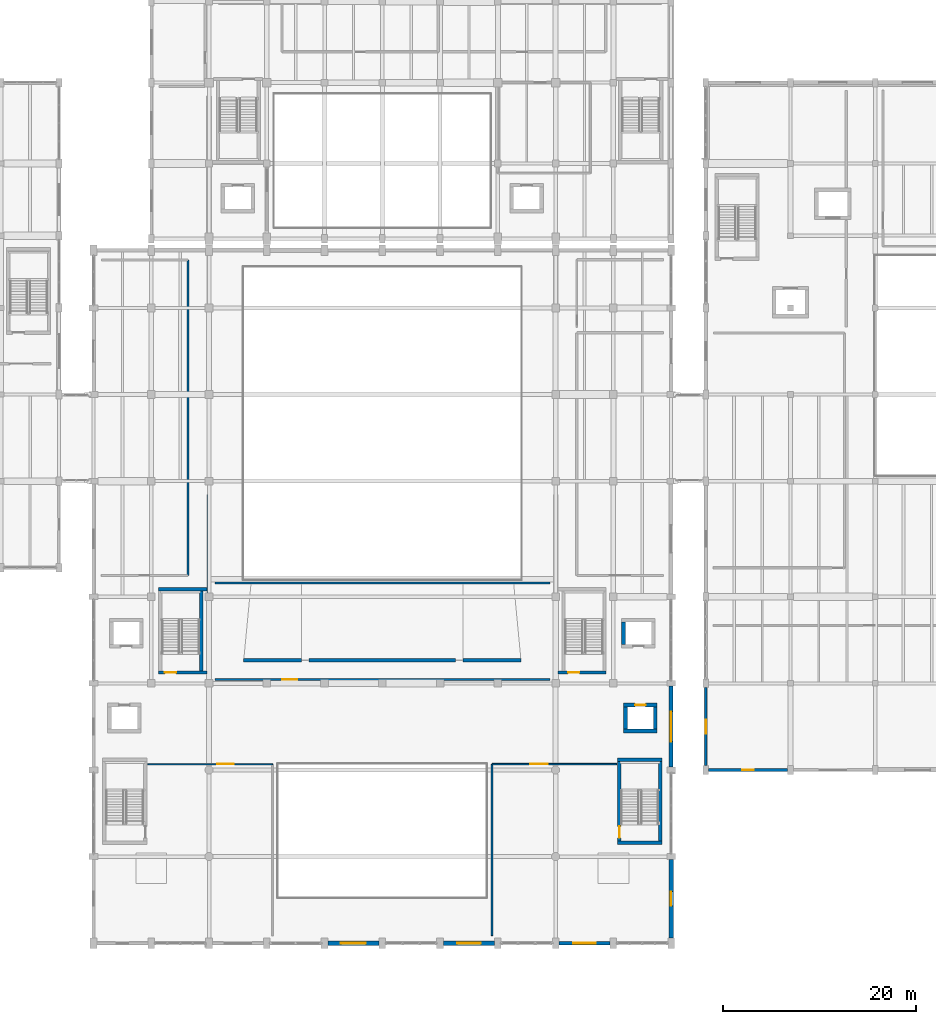
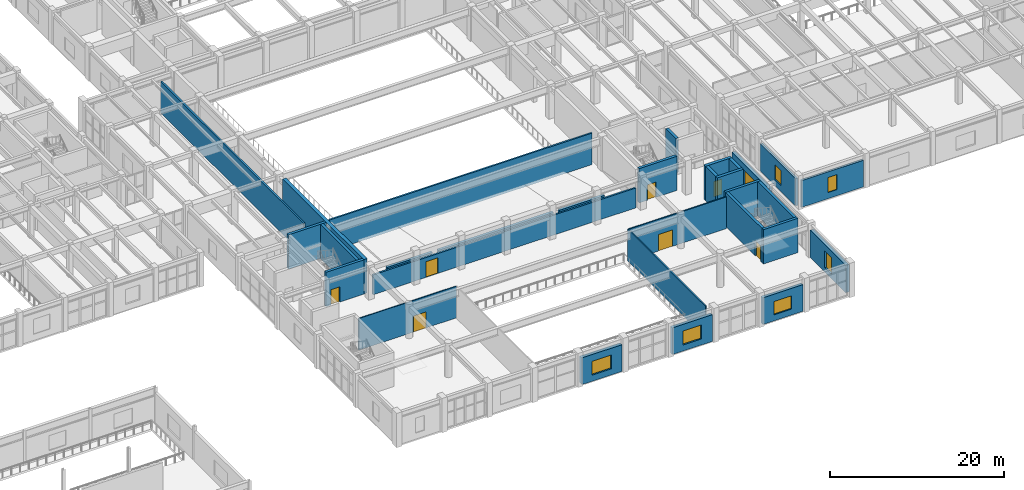
# One storey, part 69 of 96: 30 walls, 7 doors, 7 windows, 14 openings.
"""IFC4 building model written with IfcOpenShell, lengths in metres."""

from ifc_helpers import new_model, si_unit, direction, frame, frame_2d, origin, place, context, subcontext, project, spatial, rectangle, extrude, material, layer, layer_set, type_object, element, fill, save


model = new_model("IFC4")

# Units and contexts
model_context = context("Model", 3, precision=1e-05, world=origin(), true_north=direction((0.0, 1.0)))
body_context = subcontext(model_context, "Body", "Model", "MODEL_VIEW")
ifc_project = project(units=[si_unit("LENGTHUNIT", "METRE"), si_unit("AREAUNIT", "SQUARE_METRE"), si_unit("VOLUMEUNIT", "CUBIC_METRE"), si_unit("PLANEANGLEUNIT", "RADIAN"), si_unit("MASSUNIT", "GRAM", prefix="KILO")], contexts=[model_context])

# Site, building, storey
site_placement = place(None, origin())
site = spatial("IfcSite", under=ifc_project, at=site_placement, CompositionType="ELEMENT")
building_placement = place(site_placement, origin())
building = spatial("IfcBuilding", under=site, at=building_placement, Name="Vaelkrest Opera House", CompositionType="ELEMENT")
storey_placement = place(building_placement, frame((0.0, 0.0, 5.39990234375)))
storey = spatial("IfcBuildingStorey", under=building, at=storey_placement, Name="L01", CompositionType="ELEMENT", Elevation=5.39990234375)

# Wall, opening, window
ifc_material_1 = material(Name="Douglas fir glulam GL28h", Category="wood")
ifc_layer_1 = layer(ifc_material_1, 0.27490234375)
ifc_layer_set_1 = layer_set([ifc_layer_1], Name="Douglas fir glulam GL28h")
wall_type_1 = type_object("IfcWallType", Name="EW02", PredefinedType="STANDARD", material=ifc_layer_set_1)
wall_1_placement = place(storey_placement, frame((42.10205078125, -37.800048828125, 0.0), z_axis=(0.0, 0.0, 1.0), x_axis=(-1.0, 0.0, 0.0)))
wall_1 = element("IfcWall", 1, at=wall_1_placement, inside=storey, type_object=wall_type_1, Name="Exterior facade wall EW-V4-L01-0232", PredefinedType="STANDARD", context=body_context, shape_type="SweptSolid", body=[
    extrude(rectangle(XDim=8.2041015625, YDim=0.27490234375, at=frame_2d((4.10205078125, 0.0))), origin(), (0.0, 0.0, 1.0), 3.7451171875),
])
opening_1_placement = place(wall_1_placement, frame((3.501953125, 0.0, 0.85009765625)))
opening_1 = element("IfcOpeningElement", 2, at=opening_1_placement, cuts=wall_1, Name="Opening WN117", PredefinedType="OPENING", context=body_context, shape_type="SweptSolid", body=[
    extrude(rectangle(XDim=1.199951171875, YDim=2.10009765625, at=frame_2d((0.60009765625, 1.050048828125))), frame((0.0, 0.1474609375, 0.0), z_axis=(0.0, -1.0, 0.0), x_axis=(1.0, 0.0, 0.0)), (0.0, 0.0, 1.0), 0.294921875),
])
ifc_material_2 = material(Name="Double low-E insulated glazing", Category="glass")
window_type_1 = type_object("IfcWindowType", Name="WT13", PartitioningType="SINGLE_PANEL", PredefinedType="WINDOW", material=ifc_material_2)
window_1_placement = place(opening_1_placement, origin())
window_1 = element("IfcWindow", 3, at=window_1_placement, inside=storey, type_object=window_type_1, Name="Facade window WN117", OverallHeight=2.10009765625, OverallWidth=1.199951171875, PartitioningType="SINGLE_PANEL", PredefinedType="WINDOW", context=body_context, shape_type="SweptSolid", body=[
    extrude(rectangle(XDim=1.199951171875, YDim=2.10009765625, at=frame_2d((0.60009765625, 1.050048828125))), frame((0.0, 0.030029296875, 0.0), z_axis=(0.0, -1.0, 0.0), x_axis=(1.0, 0.0, 0.0)), (0.0, 0.0, 1.0), 0.06005859375),
])
fill(opening_1, window_1)

ifc_layer_2 = layer(ifc_material_1, 0.294921875)
ifc_layer_set_2 = layer_set([ifc_layer_2], Name="Douglas fir glulam GL28h")
wall_type_2 = type_object("IfcWallType", Name="EW03", PredefinedType="STANDARD", material=ifc_layer_set_2)
wall_2_placement = place(storey_placement, frame((33.60009765625, -37.35205078125, 0.0), z_axis=(0.0, 0.0, 1.0), x_axis=(0.0, 1.0, 0.0)))
wall_2 = element("IfcWall", 4, at=wall_2_placement, inside=storey, type_object=wall_type_2, Name="Exterior facade wall EW-V4-L01-0233", PredefinedType="STANDARD", context=body_context, shape_type="SweptSolid", body=[
    extrude(rectangle(XDim=8.10400390625, YDim=0.294921875, at=frame_2d((4.052001953125, 0.0))), origin(), (0.0, 0.0, 1.0), 3.8291015625),
])
opening_2_placement = place(wall_2_placement, frame((3.326904296875, 0.0, 0.85009765625)))
opening_2 = element("IfcOpeningElement", 5, at=opening_2_placement, cuts=wall_2, Name="Opening WN118", PredefinedType="OPENING", context=body_context, shape_type="SweptSolid", body=[
    extrude(rectangle(XDim=1.449951171875, YDim=2.10009765625, at=frame_2d((0.72509765625, 1.050048828125))), frame((0.0, 0.157470703125, 0.0), z_axis=(0.0, -1.0, 0.0), x_axis=(1.0, 0.0, 0.0)), (0.0, 0.0, 1.0), 0.31494140625),
])
window_type_2 = type_object("IfcWindowType", Name="WT14", PartitioningType="SINGLE_PANEL", PredefinedType="WINDOW", material=ifc_material_2)
window_2_placement = place(opening_2_placement, origin())
window_2 = element("IfcWindow", 6, at=window_2_placement, inside=storey, type_object=window_type_2, Name="Facade window WN118", OverallHeight=2.10009765625, OverallWidth=1.449951171875, PartitioningType="SINGLE_PANEL", PredefinedType="WINDOW", context=body_context, shape_type="SweptSolid", body=[
    extrude(rectangle(XDim=1.449951171875, YDim=2.10009765625, at=frame_2d((0.72509765625, 1.050048828125))), frame((0.0, 0.030029296875, 0.0), z_axis=(0.0, -1.0, 0.0), x_axis=(1.0, 0.0, 0.0)), (0.0, 0.0, 1.0), 0.06005859375),
])
fill(opening_2, window_2)

ifc_material_3 = material(Name="Concrete C40/50", Category="concrete")
ifc_layer_3 = layer(ifc_material_3, 0.409912109375)
ifc_layer_set_3 = layer_set([ifc_layer_3], Name="Concrete C40/50")
wall_type_3 = type_object("IfcWallType", Name="EW08", PredefinedType="STANDARD", material=ifc_layer_set_3)
wall_3_placement = place(storey_placement, frame((23.652099609375, -55.800048828125, 0.0), z_axis=(0.0, 0.0, 1.0), x_axis=(-1.0, 0.0, 0.0)))
wall_3 = element("IfcWall", 7, at=wall_3_placement, inside=storey, type_object=wall_type_3, Name="Exterior facade wall EW-V1-L01-0028", PredefinedType="STANDARD", context=body_context, shape_type="SweptSolid", body=[
    extrude(rectangle(XDim=5.30419921875, YDim=0.409912109375, at=frame_2d((2.652099609375, 0.0))), origin(), (0.0, 0.0, 1.0), 3.739990234375),
])
opening_3_placement = place(wall_3_placement, frame((1.501953125, 0.0, 0.85009765625)))
opening_3 = element("IfcOpeningElement", 8, at=opening_3_placement, cuts=wall_3, Name="Opening WN009", PredefinedType="OPENING", context=body_context, shape_type="SweptSolid", body=[
    extrude(rectangle(XDim=2.300048828125, YDim=1.85009765625, at=frame_2d((1.14990234375, 0.925048828125))), frame((0.0, 0.21484375, 0.0), z_axis=(0.0, -1.0, 0.0), x_axis=(1.0, 0.0, 0.0)), (0.0, 0.0, 1.0), 0.429931640625),
])
window_type_3 = type_object("IfcWindowType", Name="WT09", PartitioningType="SINGLE_PANEL", PredefinedType="WINDOW", material=ifc_material_2)
window_3_placement = place(opening_3_placement, origin())
window_3 = element("IfcWindow", 9, at=window_3_placement, inside=storey, type_object=window_type_3, Name="Facade window WN009", OverallHeight=1.85009765625, OverallWidth=2.300048828125, PartitioningType="SINGLE_PANEL", PredefinedType="WINDOW", context=body_context, shape_type="SweptSolid", body=[
    extrude(rectangle(XDim=2.300048828125, YDim=1.85009765625, at=frame_2d((1.14990234375, 0.925048828125))), frame((0.0, 0.030029296875, 0.0), z_axis=(0.0, -1.0, 0.0), x_axis=(1.0, 0.0, 0.0)), (0.0, 0.0, 1.0), 0.06005859375),
])
fill(opening_3, window_3)

ifc_layer_4 = layer(ifc_material_3, 0.43505859375)
ifc_layer_set_4 = layer_set([ifc_layer_4], Name="Concrete C40/50")
wall_type_4 = type_object("IfcWallType", Name="EW09", PredefinedType="STANDARD", material=ifc_layer_set_4)
wall_4_placement = place(storey_placement, frame((11.652099609375, -55.800048828125, 0.0), z_axis=(0.0, 0.0, 1.0), x_axis=(-1.0, 0.0, 0.0)))
wall_4 = element("IfcWall", 10, at=wall_4_placement, inside=storey, type_object=wall_type_4, Name="Exterior facade wall EW-V1-L01-0029", PredefinedType="STANDARD", context=body_context, shape_type="SweptSolid", body=[
    extrude(rectangle(XDim=5.30419921875, YDim=0.43505859375, at=frame_2d((2.652099609375, 0.0))), origin(), (0.0, 0.0, 1.0), 3.739990234375),
])
opening_4_placement = place(wall_4_placement, frame((1.427001953125, 0.0, 0.85009765625)))
opening_4 = element("IfcOpeningElement", 11, at=opening_4_placement, cuts=wall_4, Name="Opening WN010", PredefinedType="OPENING", context=body_context, shape_type="SweptSolid", body=[
    extrude(rectangle(XDim=2.449951171875, YDim=1.949951171875, at=frame_2d((1.22509765625, 0.97509765625))), frame((0.0, 0.2275390625, 0.0), z_axis=(0.0, -1.0, 0.0), x_axis=(1.0, 0.0, 0.0)), (0.0, 0.0, 1.0), 0.455078125),
])
window_type_4 = type_object("IfcWindowType", Name="WT10", PartitioningType="SINGLE_PANEL", PredefinedType="WINDOW", material=ifc_material_2)
window_4_placement = place(opening_4_placement, origin())
window_4 = element("IfcWindow", 12, at=window_4_placement, inside=storey, type_object=window_type_4, Name="Facade window WN010", OverallHeight=1.949951171875, OverallWidth=2.449951171875, PartitioningType="SINGLE_PANEL", PredefinedType="WINDOW", context=body_context, shape_type="SweptSolid", body=[
    extrude(rectangle(XDim=2.449951171875, YDim=1.949951171875, at=frame_2d((1.22509765625, 0.97509765625))), frame((0.0, 0.030029296875, 0.0), z_axis=(0.0, -1.0, 0.0), x_axis=(1.0, 0.0, 0.0)), (0.0, 0.0, 1.0), 0.06005859375),
])
fill(opening_4, window_4)

wall_5_placement = place(storey_placement, frame((30.0, -29.097900390625, 0.0), z_axis=(0.0, 0.0, 1.0), x_axis=(0.0, -1.0, 0.0)))
wall_5 = element("IfcWall", 13, at=wall_5_placement, inside=storey, type_object=wall_type_4, Name="Exterior facade wall EW-V1-L01-0049", PredefinedType="STANDARD", context=body_context, shape_type="SweptSolid", body=[
    extrude(rectangle(XDim=8.404052734375, YDim=0.43505859375, at=frame_2d((4.2021484375, 0.0))), origin(), (0.0, 0.0, 1.0), 3.82421875),
])
opening_5_placement = place(wall_5_placement, frame((2.652099609375, 0.0, 0.85009765625)))
opening_5 = element("IfcOpeningElement", 14, at=opening_5_placement, cuts=wall_5, Name="Opening WN020", PredefinedType="OPENING", context=body_context, shape_type="SweptSolid", body=[
    extrude(rectangle(XDim=3.10009765625, YDim=2.10009765625, at=frame_2d((1.550048828125, 1.050048828125))), frame((0.0, 0.2275390625, 0.0), z_axis=(0.0, -1.0, 0.0), x_axis=(1.0, 0.0, 0.0)), (0.0, 0.0, 1.0), 0.455078125),
])
window_type_5 = type_object("IfcWindowType", Name="WT20", PartitioningType="SINGLE_PANEL", PredefinedType="WINDOW", material=ifc_material_2)
window_5_placement = place(opening_5_placement, origin())
window_5 = element("IfcWindow", 15, at=window_5_placement, inside=storey, type_object=window_type_5, Name="Facade window WN020", OverallHeight=2.10009765625, OverallWidth=3.10009765625, PartitioningType="SINGLE_PANEL", PredefinedType="WINDOW", context=body_context, shape_type="SweptSolid", body=[
    extrude(rectangle(XDim=3.10009765625, YDim=2.10009765625, at=frame_2d((1.550048828125, 1.050048828125))), frame((0.0, 0.030029296875, 0.0), z_axis=(0.0, -1.0, 0.0), x_axis=(1.0, 0.0, 0.0)), (0.0, 0.0, 1.0), 0.06005859375),
])
fill(opening_5, window_5)

ifc_layer_5 = layer(ifc_material_3, 0.465087890625)
ifc_layer_set_5 = layer_set([ifc_layer_5], Name="Concrete C40/50")
wall_type_5 = type_object("IfcWallType", Name="EW10", PredefinedType="STANDARD", material=ifc_layer_set_5)
wall_6_placement = place(storey_placement, frame((-0.347900390625, -55.800048828125, 0.0), z_axis=(0.0, 0.0, 1.0), x_axis=(-1.0, 0.0, 0.0)))
wall_6 = element("IfcWall", 16, at=wall_6_placement, inside=storey, type_object=wall_type_5, Name="Exterior facade wall EW-V1-L01-0030", PredefinedType="STANDARD", context=body_context, shape_type="SweptSolid", body=[
    extrude(rectangle(XDim=5.30419921875, YDim=0.465087890625, at=frame_2d((2.652099609375, 0.0))), origin(), (0.0, 0.0, 1.0), 3.739990234375),
])
opening_6_placement = place(wall_6_placement, frame((1.35205078125, 0.0, 0.85009765625)))
opening_6 = element("IfcOpeningElement", 17, at=opening_6_placement, cuts=wall_6, Name="Opening WN011", PredefinedType="OPENING", context=body_context, shape_type="SweptSolid", body=[
    extrude(rectangle(XDim=2.60009765625, YDim=1.949951171875, at=frame_2d((1.300048828125, 0.97509765625))), frame((0.0, 0.242431640625, 0.0), z_axis=(0.0, -1.0, 0.0), x_axis=(1.0, 0.0, 0.0)), (0.0, 0.0, 1.0), 0.485107421875),
])
window_type_6 = type_object("IfcWindowType", Name="WT11", PartitioningType="SINGLE_PANEL", PredefinedType="WINDOW", material=ifc_material_2)
window_6_placement = place(opening_6_placement, origin())
window_6 = element("IfcWindow", 18, at=window_6_placement, inside=storey, type_object=window_type_6, Name="Facade window WN011", OverallHeight=1.949951171875, OverallWidth=2.60009765625, PartitioningType="SINGLE_PANEL", PredefinedType="WINDOW", context=body_context, shape_type="SweptSolid", body=[
    extrude(rectangle(XDim=2.60009765625, YDim=1.949951171875, at=frame_2d((1.300048828125, 0.97509765625))), frame((0.0, 0.030029296875, 0.0), z_axis=(0.0, -1.0, 0.0), x_axis=(1.0, 0.0, 0.0)), (0.0, 0.0, 1.0), 0.06005859375),
])
fill(opening_6, window_6)

wall_7_placement = place(storey_placement, frame((30.0, -47.097900390625, 0.0), z_axis=(0.0, 0.0, 1.0), x_axis=(0.0, -1.0, 0.0)))
wall_7 = element("IfcWall", 19, at=wall_7_placement, inside=storey, type_object=wall_type_5, Name="Exterior facade wall EW-V1-L01-0050", PredefinedType="STANDARD", context=body_context, shape_type="SweptSolid", body=[
    extrude(rectangle(XDim=8.154052734375, YDim=0.465087890625, at=frame_2d((4.0771484375, 0.0))), origin(), (0.0, 0.0, 1.0), 3.82421875),
])
opening_7_placement = place(wall_7_placement, frame((3.326904296875, 0.0, 0.60009765625)))
opening_7 = element("IfcOpeningElement", 20, at=opening_7_placement, cuts=wall_7, Name="Opening WN021", PredefinedType="OPENING", context=body_context, shape_type="SweptSolid", body=[
    extrude(rectangle(XDim=1.5, YDim=2.35009765625, at=frame_2d((0.75, 1.175048828125))), frame((0.0, 0.242431640625, 0.0), z_axis=(0.0, -1.0, 0.0), x_axis=(1.0, 0.0, 0.0)), (0.0, 0.0, 1.0), 0.485107421875),
])
window_type_7 = type_object("IfcWindowType", Name="WT21", PartitioningType="SINGLE_PANEL", PredefinedType="WINDOW", material=ifc_material_2)
window_7_placement = place(opening_7_placement, origin())
window_7 = element("IfcWindow", 21, at=window_7_placement, inside=storey, type_object=window_type_7, Name="Facade window WN021", OverallHeight=2.35009765625, OverallWidth=1.5, PartitioningType="SINGLE_PANEL", PredefinedType="WINDOW", context=body_context, shape_type="SweptSolid", body=[
    extrude(rectangle(XDim=1.5, YDim=2.35009765625, at=frame_2d((0.75, 1.175048828125))), frame((0.0, 0.030029296875, 0.0), z_axis=(0.0, -1.0, 0.0), x_axis=(1.0, 0.0, 0.0)), (0.0, 0.0, 1.0), 0.06005859375),
])
fill(opening_7, window_7)

# Wall, opening, door
ifc_material_4 = material(Name="Gypsum acoustic board", Category="gypsum")
ifc_layer_6 = layer(ifc_material_4, 0.135009765625)
ifc_layer_set_6 = layer_set([ifc_layer_6], Name="Gypsum acoustic board")
wall_type_6 = type_object("IfcWallType", Name="PT02", PredefinedType="PARTITIONING", material=ifc_layer_set_6)
wall_8_placement = place(storey_placement, frame((-24.35009765625, -37.199951171875, 0.0), z_axis=(0.0, 0.0, 1.0), x_axis=(1.0, 0.0, 0.0)))
wall_8 = element("IfcWall", 22, at=wall_8_placement, inside=storey, type_object=wall_type_6, Name="Interior partition PT-V1-L01-0058", PredefinedType="PARTITIONING", context=body_context, shape_type="SweptSolid", body=[
    extrude(rectangle(XDim=12.9501953125, YDim=0.135009765625, at=frame_2d((6.47509765625, 0.0))), origin(), (0.0, 0.0, 1.0), 4.420166015625),
])
opening_8_placement = place(wall_8_placement, frame((7.22509765625, 0.0, 0.0)))
opening_8 = element("IfcOpeningElement", 23, at=opening_8_placement, cuts=wall_8, Name="Opening D022", PredefinedType="OPENING", context=body_context, shape_type="SweptSolid", body=[
    extrude(rectangle(XDim=1.699951171875, YDim=2.25, at=frame_2d((0.85009765625, 1.125))), frame((0.0, 0.077392578125, 0.0), z_axis=(0.0, -1.0, 0.0), x_axis=(1.0, 0.0, 0.0)), (0.0, 0.0, 1.0), 0.155029296875),
])
ifc_material_5 = material(Name="American black walnut acoustic timber", Category="wood")
door_type_1 = type_object("IfcDoorType", Name="DT14", OperationType="DOUBLE_DOOR_SINGLE_SWING", PredefinedType="DOOR", material=ifc_material_5)
door_1_placement = place(opening_8_placement, origin())
door_1 = element("IfcDoor", 24, at=door_1_placement, inside=storey, type_object=door_type_1, Name="Interior door D022 (Dress Circle Foyer)", OperationType="DOUBLE_DOOR_SINGLE_SWING", OverallHeight=2.25, OverallWidth=1.699951171875, PredefinedType="DOOR", context=body_context, shape_type="SweptSolid", body=[
    extrude(rectangle(XDim=1.699951171875, YDim=2.25, at=frame_2d((0.85009765625, 1.125))), frame((0.0, 0.02490234375, 0.0), z_axis=(0.0, -1.0, 0.0), x_axis=(1.0, 0.0, 0.0)), (0.0, 0.0, 1.0), 0.050048828125),
])
fill(opening_8, door_1)

ifc_layer_7 = layer(ifc_material_4, 0.1650390625)
ifc_layer_set_7 = layer_set([ifc_layer_7], Name="Gypsum acoustic board")
wall_type_7 = type_object("IfcWallType", Name="PT04", PredefinedType="PARTITIONING", material=ifc_layer_set_7)
wall_9_placement = place(storey_placement, frame((11.39990234375, -37.199951171875, 0.0), z_axis=(0.0, 0.0, 1.0), x_axis=(1.0, 0.0, 0.0)))
wall_9 = element("IfcWall", 25, at=wall_9_placement, inside=storey, type_object=wall_type_7, Name="Interior partition PT-V1-L01-0060", PredefinedType="PARTITIONING", context=body_context, shape_type="SweptSolid", body=[
    extrude(rectangle(XDim=12.9501953125, YDim=0.1650390625, at=frame_2d((6.47509765625, 0.0))), origin(), (0.0, 0.0, 1.0), 4.420166015625),
])
opening_9_placement = place(wall_9_placement, frame((3.949951171875, 0.0, 0.0)))
opening_9 = element("IfcOpeningElement", 26, at=opening_9_placement, cuts=wall_9, Name="Opening D023", PredefinedType="OPENING", context=body_context, shape_type="SweptSolid", body=[
    extrude(rectangle(XDim=1.85009765625, YDim=2.300048828125, at=frame_2d((0.925048828125, 1.14990234375))), frame((0.0, 0.092529296875, 0.0), z_axis=(0.0, -1.0, 0.0), x_axis=(1.0, 0.0, 0.0)), (0.0, 0.0, 1.0), 0.18505859375),
])
door_type_2 = type_object("IfcDoorType", Name="DT15", OperationType="DOUBLE_DOOR_SINGLE_SWING", PredefinedType="DOOR", material=ifc_material_5)
door_2_placement = place(opening_9_placement, origin())
door_2 = element("IfcDoor", 27, at=door_2_placement, inside=storey, type_object=door_type_2, Name="Interior door D023 (Opera Cafe Terrace Lounge)", OperationType="DOUBLE_DOOR_SINGLE_SWING", OverallHeight=2.300048828125, OverallWidth=1.85009765625, PredefinedType="DOOR", context=body_context, shape_type="SweptSolid", body=[
    extrude(rectangle(XDim=1.85009765625, YDim=2.300048828125, at=frame_2d((0.925048828125, 1.14990234375))), frame((0.0, 0.02490234375, 0.0), z_axis=(0.0, -1.0, 0.0), x_axis=(1.0, 0.0, 0.0)), (0.0, 0.0, 1.0), 0.050048828125),
])
fill(opening_9, door_2)

# Walls
ifc_layer_8 = layer(ifc_material_4, 0.179931640625)
ifc_layer_set_8 = layer_set([ifc_layer_8], Name="Gypsum acoustic board")
wall_type_8 = type_object("IfcWallType", Name="PT05", PredefinedType="PARTITIONING", material=ifc_layer_set_8)
wall_10_placement = place(storey_placement, frame((11.39990234375, -55.0, 0.0), z_axis=(0.0, 0.0, 1.0), x_axis=(0.0, 1.0, 0.0)))
element("IfcWall", 28, at=wall_10_placement, inside=storey, type_object=wall_type_8, Name="Interior partition PT-V1-L01-0061", PredefinedType="PARTITIONING", context=body_context, shape_type="SweptSolid", body=[
    extrude(rectangle(XDim=17.800048828125, YDim=0.179931640625, at=frame_2d((8.89990234375, 0.0))), origin(), (0.0, 0.0, 1.0), 4.420166015625),
])
ifc_layer_9 = layer(ifc_material_5, 0.2099609375)
ifc_layer_set_9 = layer_set([ifc_layer_9], Name="American black walnut acoustic timber")
wall_type_9 = type_object("IfcWallType", Name="PT07", PredefinedType="PARTITIONING", material=ifc_layer_set_9)
wall_11_placement = place(storey_placement, frame((-17.39990234375, -18.39990234375, 0.0), z_axis=(0.0, 0.0, 1.0), x_axis=(1.0, 0.0, 0.0)))
element("IfcWall", 29, at=wall_11_placement, inside=storey, type_object=wall_type_9, Name="Interior partition PT-V1-L01-0057", PredefinedType="PARTITIONING", context=body_context, shape_type="SweptSolid", body=[
    extrude(rectangle(XDim=34.7998046875, YDim=0.2099609375, at=frame_2d((17.39990234375, 0.0))), origin(), (0.0, 0.0, 1.0), 4.420166015625),
])

# Wall, opening, door
ifc_layer_10 = layer(ifc_material_5, 0.22509765625)
ifc_layer_set_10 = layer_set([ifc_layer_10], Name="American black walnut acoustic timber")
wall_type_10 = type_object("IfcWallType", Name="PT08", PredefinedType="PARTITIONING", material=ifc_layer_set_10)
wall_12_placement = place(storey_placement, frame((-17.39990234375, -28.39990234375, 0.0), z_axis=(0.0, 0.0, 1.0), x_axis=(1.0, 0.0, 0.0)))
wall_12 = element("IfcWall", 30, at=wall_12_placement, inside=storey, type_object=wall_type_10, Name="Interior partition PT-V1-L01-0056", PredefinedType="PARTITIONING", context=body_context, shape_type="SweptSolid", body=[
    extrude(rectangle(XDim=34.7998046875, YDim=0.22509765625, at=frame_2d((17.39990234375, 0.0))), origin(), (0.0, 0.0, 1.0), 2.78515625),
])
opening_10_placement = place(wall_12_placement, frame((7.02490234375, 0.0, 0.0)))
opening_10 = element("IfcOpeningElement", 31, at=opening_10_placement, cuts=wall_12, Name="Opening D021", PredefinedType="OPENING", context=body_context, shape_type="SweptSolid", body=[
    extrude(rectangle(XDim=1.550048828125, YDim=2.199951171875, at=frame_2d((0.77490234375, 1.10009765625))), frame((0.0, 0.12255859375, 0.0), z_axis=(0.0, -1.0, 0.0), x_axis=(1.0, 0.0, 0.0)), (0.0, 0.0, 1.0), 0.2451171875),
])
door_type_3 = type_object("IfcDoorType", Name="DT13", OperationType="DOUBLE_DOOR_SINGLE_SWING", PredefinedType="DOOR", material=ifc_material_5)
door_3_placement = place(opening_10_placement, origin())
door_3 = element("IfcDoor", 32, at=door_3_placement, inside=storey, type_object=door_type_3, Name="Interior door D021 (Auditorium Dress Circle Tier 1)", OperationType="DOUBLE_DOOR_SINGLE_SWING", OverallHeight=2.199951171875, OverallWidth=1.550048828125, PredefinedType="DOOR", context=body_context, shape_type="SweptSolid", body=[
    extrude(rectangle(XDim=1.550048828125, YDim=2.199951171875, at=frame_2d((0.77490234375, 1.10009765625))), frame((0.0, 0.02490234375, 0.0), z_axis=(0.0, -1.0, 0.0), x_axis=(1.0, 0.0, 0.0)), (0.0, 0.0, 1.0), 0.050048828125),
])
fill(opening_10, door_3)

# Walls
wall_13_placement = place(storey_placement, frame((-20.199951171875, -17.60009765625, 0.0), z_axis=(0.0, 0.0, 1.0), x_axis=(0.0, 1.0, 0.0)))
element("IfcWall", 33, at=wall_13_placement, inside=storey, type_object=wall_type_10, Name="Interior partition PT-V1-L01-0064", PredefinedType="PARTITIONING", context=body_context, shape_type="SweptSolid", body=[
    extrude(rectangle(XDim=32.800048828125, YDim=0.22509765625, at=frame_2d((16.39990234375, 0.0))), origin(), (0.0, 0.0, 1.0), 4.420166015625),
])
ifc_material_6 = material(Name="Concrete C50/60", Category="concrete")
ifc_layer_11 = layer(ifc_material_6, 0.35009765625)
ifc_layer_set_11 = layer_set([ifc_layer_11], Name="Concrete C50/60")
wall_type_11 = type_object("IfcWallType", Name="SW01", PredefinedType="SHEAR", material=ifc_layer_set_11)
wall_14_placement = place(storey_placement, frame((-14.39990234375, -26.39990234375, 0.0), z_axis=(0.0, 0.0, 1.0), x_axis=(1.0, 0.0, 0.0)))
element("IfcWall", 34, at=wall_14_placement, inside=storey, type_object=wall_type_11, Name="Auditorium seating tier rear wall L01-1", PredefinedType="SHEAR", context=body_context, shape_type="SweptSolid", body=[
    extrude(rectangle(XDim=6.0, YDim=0.35009765625, at=frame_2d((3.0, 0.0))), origin(), (0.0, 0.0, 1.0), 1.630126953125),
])
wall_15_placement = place(storey_placement, frame((-7.60009765625, -26.39990234375, 0.0), z_axis=(0.0, 0.0, 1.0), x_axis=(1.0, 0.0, 0.0)))
element("IfcWall", 35, at=wall_15_placement, inside=storey, type_object=wall_type_11, Name="Auditorium seating tier rear wall L01-2", PredefinedType="SHEAR", context=body_context, shape_type="SweptSolid", body=[
    extrude(rectangle(XDim=15.2001953125, YDim=0.35009765625, at=frame_2d((7.60009765625, 0.0))), origin(), (0.0, 0.0, 1.0), 1.630126953125),
])
wall_16_placement = place(storey_placement, frame((8.39990234375, -26.39990234375, 0.0), z_axis=(0.0, 0.0, 1.0), x_axis=(1.0, 0.0, 0.0)))
element("IfcWall", 36, at=wall_16_placement, inside=storey, type_object=wall_type_11, Name="Auditorium seating tier rear wall L01-3", PredefinedType="SHEAR", context=body_context, shape_type="SweptSolid", body=[
    extrude(rectangle(XDim=6.0, YDim=0.35009765625, at=frame_2d((3.0, 0.0))), origin(), (0.0, 0.0, 1.0), 1.630126953125),
])

# Wall, opening, door
wall_17_placement = place(storey_placement, frame((-18.22509765625, -27.675048828125, 0.0), z_axis=(0.0, 0.0, 1.0), x_axis=(-1.0, 0.0, 0.0)))
wall_17 = element("IfcWall", 37, at=wall_17_placement, inside=storey, type_object=wall_type_11, Name="Stair core ST01 wall L01 S", PredefinedType="SHEAR", context=body_context, shape_type="SweptSolid", body=[
    extrude(rectangle(XDim=5.02490234375, YDim=0.35009765625, at=frame_2d((2.512451171875, 0.0))), origin(), (0.0, 0.0, 1.0), 4.800048828125),
])
opening_11_placement = place(wall_17_placement, frame((3.195068359375, 0.0, 0.0)))
opening_11 = element("IfcOpeningElement", 38, at=opening_11_placement, cuts=wall_17, Name="Opening SD-ST01-L01", PredefinedType="OPENING", context=body_context, shape_type="SweptSolid", body=[
    extrude(rectangle(XDim=1.179931640625, YDim=2.14990234375, at=frame_2d((0.58984375, 1.074951171875))), frame((0.0, 0.18505859375, 0.0), z_axis=(0.0, -1.0, 0.0), x_axis=(1.0, 0.0, 0.0)), (0.0, 0.0, 1.0), 0.3701171875),
])
door_type_4 = type_object("IfcDoorType", Name="DT07", OperationType="NOTDEFINED", PredefinedType="DOOR", material=ifc_material_5)
door_4_placement = place(opening_11_placement, origin())
door_4 = element("IfcDoor", 39, at=door_4_placement, inside=storey, type_object=door_type_4, Name="Protected stair door SD-ST01-L01", OperationType="SINGLE_SWING_RIGHT", OverallHeight=2.14990234375, OverallWidth=1.179931640625, PredefinedType="DOOR", context=body_context, shape_type="SweptSolid", body=[
    extrude(rectangle(XDim=1.179931640625, YDim=2.14990234375, at=frame_2d((0.58984375, 1.074951171875))), frame((0.0, 0.02490234375, 0.0), z_axis=(0.0, -1.0, 0.0), x_axis=(1.0, 0.0, 0.0)), (0.0, 0.0, 1.0), 0.050048828125),
])
fill(opening_11, door_4)

# Walls
wall_18_placement = place(storey_placement, frame((-23.25, -19.02490234375, 0.0), z_axis=(0.0, 0.0, 1.0), x_axis=(1.0, 0.0, 0.0)))
element("IfcWall", 40, at=wall_18_placement, inside=storey, type_object=wall_type_11, Name="Stair core ST01 wall L01 N", PredefinedType="SHEAR", context=body_context, shape_type="SweptSolid", body=[
    extrude(rectangle(XDim=5.02490234375, YDim=0.35009765625, at=frame_2d((2.512451171875, 0.0))), origin(), (0.0, 0.0, 1.0), 4.800048828125),
])
wall_19_placement = place(storey_placement, frame((-18.824951171875, -19.199951171875, 0.0), z_axis=(0.0, 0.0, 1.0), x_axis=(0.0, -1.0, 0.0)))
element("IfcWall", 41, at=wall_19_placement, inside=storey, type_object=wall_type_11, Name="Stair core ST01 wall L01 E", PredefinedType="SHEAR", context=body_context, shape_type="SweptSolid", body=[
    extrude(rectangle(XDim=8.300048828125, YDim=0.35009765625, at=frame_2d((4.14990234375, 0.0))), origin(), (0.0, 0.0, 1.0), 4.800048828125),
])

# Wall, opening, door
wall_20_placement = place(storey_placement, frame((23.25, -27.675048828125, 0.0), z_axis=(0.0, 0.0, 1.0), x_axis=(-1.0, 0.0, 0.0)))
wall_20 = element("IfcWall", 42, at=wall_20_placement, inside=storey, type_object=wall_type_11, Name="Stair core ST02 wall L01 S", PredefinedType="SHEAR", context=body_context, shape_type="SweptSolid", body=[
    extrude(rectangle(XDim=5.02490234375, YDim=0.35009765625, at=frame_2d((2.512451171875, 0.0))), origin(), (0.0, 0.0, 1.0), 4.800048828125),
])
opening_12_placement = place(wall_20_placement, frame((2.77001953125, 0.0, 0.0)))
opening_12 = element("IfcOpeningElement", 43, at=opening_12_placement, cuts=wall_20, Name="Opening SD-ST02-L01", PredefinedType="OPENING", context=body_context, shape_type="SweptSolid", body=[
    extrude(rectangle(XDim=1.179931640625, YDim=2.14990234375, at=frame_2d((0.58984375, 1.074951171875))), frame((0.0, 0.18505859375, 0.0), z_axis=(0.0, -1.0, 0.0), x_axis=(1.0, 0.0, 0.0)), (0.0, 0.0, 1.0), 0.3701171875),
])
door_5_placement = place(opening_12_placement, origin())
door_5 = element("IfcDoor", 44, at=door_5_placement, inside=storey, type_object=door_type_4, Name="Protected stair door SD-ST02-L01", OperationType="SINGLE_SWING_LEFT", OverallHeight=2.14990234375, OverallWidth=1.179931640625, PredefinedType="DOOR", context=body_context, shape_type="SweptSolid", body=[
    extrude(rectangle(XDim=1.179931640625, YDim=2.14990234375, at=frame_2d((0.58984375, 1.074951171875))), frame((0.0, 0.02490234375, 0.0), z_axis=(0.0, -1.0, 0.0), x_axis=(1.0, 0.0, 0.0)), (0.0, 0.0, 1.0), 0.050048828125),
])
fill(opening_12, door_5)

# Wall
wall_21_placement = place(storey_placement, frame((29.050048828125, -45.375, 0.0), z_axis=(0.0, 0.0, 1.0), x_axis=(-1.0, 0.0, 0.0)))
element("IfcWall", 45, at=wall_21_placement, inside=storey, type_object=wall_type_11, Name="Stair core ST04 wall L01 S", PredefinedType="SHEAR", context=body_context, shape_type="SweptSolid", body=[
    extrude(rectangle(XDim=4.60009765625, YDim=0.35009765625, at=frame_2d((2.300048828125, 0.0))), origin(), (0.0, 0.0, 1.0), 4.800048828125),
])

# Wall, opening, door
wall_22_placement = place(storey_placement, frame((24.625, -45.199951171875, 0.0), z_axis=(0.0, 0.0, 1.0), x_axis=(0.0, 1.0, 0.0)))
wall_22 = element("IfcWall", 46, at=wall_22_placement, inside=storey, type_object=wall_type_11, Name="Stair core ST04 wall L01 W", PredefinedType="SHEAR", context=body_context, shape_type="SweptSolid", body=[
    extrude(rectangle(XDim=8.300048828125, YDim=0.35009765625, at=frame_2d((4.14990234375, 0.0))), origin(), (0.0, 0.0, 1.0), 4.800048828125),
])
opening_13_placement = place(wall_22_placement, frame((0.35009765625, 0.0, 0.0)))
opening_13 = element("IfcOpeningElement", 47, at=opening_13_placement, cuts=wall_22, Name="Opening SD-ST04-L01", PredefinedType="OPENING", context=body_context, shape_type="SweptSolid", body=[
    extrude(rectangle(XDim=1.179931640625, YDim=2.14990234375, at=frame_2d((0.58984375, 1.074951171875))), frame((0.0, 0.18505859375, 0.0), z_axis=(0.0, -1.0, 0.0), x_axis=(1.0, 0.0, 0.0)), (0.0, 0.0, 1.0), 0.3701171875),
])
door_6_placement = place(opening_13_placement, origin())
door_6 = element("IfcDoor", 48, at=door_6_placement, inside=storey, type_object=door_type_4, Name="Protected stair door SD-ST04-L01", OperationType="SINGLE_SWING_LEFT", OverallHeight=2.14990234375, OverallWidth=1.179931640625, PredefinedType="DOOR", context=body_context, shape_type="SweptSolid", body=[
    extrude(rectangle(XDim=1.179931640625, YDim=2.14990234375, at=frame_2d((0.58984375, 1.074951171875))), frame((0.0, 0.02490234375, 0.0), z_axis=(0.0, -1.0, 0.0), x_axis=(1.0, 0.0, 0.0)), (0.0, 0.0, 1.0), 0.050048828125),
])
fill(opening_13, door_6)

# Walls
wall_23_placement = place(storey_placement, frame((24.449951171875, -36.72509765625, 0.0), z_axis=(0.0, 0.0, 1.0), x_axis=(1.0, 0.0, 0.0)))
element("IfcWall", 49, at=wall_23_placement, inside=storey, type_object=wall_type_11, Name="Stair core ST04 wall L01 N", PredefinedType="SHEAR", context=body_context, shape_type="SweptSolid", body=[
    extrude(rectangle(XDim=4.60009765625, YDim=0.35009765625, at=frame_2d((2.300048828125, 0.0))), origin(), (0.0, 0.0, 1.0), 4.800048828125),
])
wall_24_placement = place(storey_placement, frame((28.875, -36.89990234375, 0.0), z_axis=(0.0, 0.0, 1.0), x_axis=(0.0, -1.0, 0.0)))
element("IfcWall", 50, at=wall_24_placement, inside=storey, type_object=wall_type_11, Name="Stair core ST04 wall L01 E", PredefinedType="SHEAR", context=body_context, shape_type="SweptSolid", body=[
    extrude(rectangle(XDim=8.300048828125, YDim=0.35009765625, at=frame_2d((4.14990234375, 0.0))), origin(), (0.0, 0.0, 1.0), 4.800048828125),
])
ifc_layer_12 = layer(ifc_material_6, 0.389892578125)
ifc_layer_set_12 = layer_set([ifc_layer_12], Name="Concrete C50/60")
wall_type_12 = type_object("IfcWallType", Name="SW02", PredefinedType="SHEAR", material=ifc_layer_set_12)
wall_25_placement = place(storey_placement, frame((25.054931640625, -24.75, 0.0), z_axis=(0.0, 0.0, 1.0), x_axis=(0.0, 1.0, 0.0)))
element("IfcWall", 51, at=wall_25_placement, inside=storey, type_object=wall_type_12, Name="Lift shaft LP02 wall L01 W", PredefinedType="SHEAR", context=body_context, shape_type="SweptSolid", body=[
    extrude(rectangle(XDim=2.300048828125, YDim=0.389892578125, at=frame_2d((1.14990234375, 0.0))), origin(), (0.0, 0.0, 1.0), 4.800048828125),
])
wall_26_placement = place(storey_placement, frame((28.5400390625, -33.7451171875, 0.0), z_axis=(0.0, 0.0, 1.0), x_axis=(-1.0, 0.0, 0.0)))
element("IfcWall", 52, at=wall_26_placement, inside=storey, type_object=wall_type_12, Name="Lift shaft LP04 wall L01 S", PredefinedType="SHEAR", context=body_context, shape_type="SweptSolid", body=[
    extrude(rectangle(XDim=3.47998046875, YDim=0.389892578125, at=frame_2d((1.739990234375, 0.0))), origin(), (0.0, 0.0, 1.0), 4.800048828125),
])

# Wall, opening, door
wall_27_placement = place(storey_placement, frame((25.06005859375, -31.054931640625, 0.0), z_axis=(0.0, 0.0, 1.0), x_axis=(1.0, 0.0, 0.0)))
wall_27 = element("IfcWall", 53, at=wall_27_placement, inside=storey, type_object=wall_type_12, Name="Lift shaft LP04 wall L01 N", PredefinedType="SHEAR", context=body_context, shape_type="SweptSolid", body=[
    extrude(rectangle(XDim=3.47998046875, YDim=0.389892578125, at=frame_2d((1.739990234375, 0.0))), origin(), (0.0, 0.0, 1.0), 4.800048828125),
])
opening_14_placement = place(wall_27_placement, frame((1.18994140625, 0.0, 0.0)))
opening_14 = element("IfcOpeningElement", 54, at=opening_14_placement, cuts=wall_27, Name="Opening LD-LP04-L01", PredefinedType="OPENING", context=body_context, shape_type="SweptSolid", body=[
    extrude(rectangle(XDim=1.10009765625, YDim=2.14990234375, at=frame_2d((0.550048828125, 1.074951171875))), frame((0.0, 0.204833984375, 0.0), z_axis=(0.0, -1.0, 0.0), x_axis=(1.0, 0.0, 0.0)), (0.0, 0.0, 1.0), 0.409912109375),
])
ifc_material_7 = material(Name="Dark bronze anodized aluminium", Category="aluminium")
door_type_5 = type_object("IfcDoorType", Name="LDT01", OperationType="SLIDING_TO_LEFT", PredefinedType="DOOR", material=ifc_material_7)
door_7_placement = place(opening_14_placement, origin())
door_7 = element("IfcDoor", 55, at=door_7_placement, inside=storey, type_object=door_type_5, Name="Lift landing sliding door LD-LP04-L01", OperationType="SLIDING_TO_LEFT", OverallHeight=2.14990234375, OverallWidth=1.10009765625, PredefinedType="DOOR", context=body_context, shape_type="SweptSolid", body=[
    extrude(rectangle(XDim=1.10009765625, YDim=2.14990234375, at=frame_2d((0.550048828125, 1.074951171875))), frame((0.0, 0.02490234375, 0.0), z_axis=(0.0, -1.0, 0.0), x_axis=(1.0, 0.0, 0.0)), (0.0, 0.0, 1.0), 0.050048828125),
])
fill(opening_14, door_7)

# Walls
for number, where, z_axis, x_axis, name in (
    (56, (25.2548828125, -33.550048828125, 0.0), (0.0, 0.0, 1.0), (0.0, 1.0, 0.0), "Lift shaft LP04 wall L01 W"),
    (57, (28.344970703125, -31.25, 0.0), (0.0, 0.0, 1.0), (0.0, -1.0, 0.0), "Lift shaft LP04 wall L01 E"),
):
    element("IfcWall", number, at=place(storey_placement, frame(where, z_axis=z_axis, x_axis=x_axis)), inside=storey, type_object=wall_type_12, Name=name, PredefinedType="SHEAR", context=body_context, shape_type="SweptSolid", body=[
        extrude(rectangle(XDim=2.300048828125, YDim=0.389892578125, at=frame_2d((1.14990234375, 0.0))), origin(), (0.0, 0.0, 1.0), 4.800048828125),
    ])
ifc_layer_13 = layer(ifc_material_6, 0.449951171875)
ifc_layer_set_13 = layer_set([ifc_layer_13], Name="Concrete C50/60")
wall_type_13 = type_object("IfcWallType", Name="SW03", PredefinedType="SHEAR", material=ifc_layer_set_13)
wall_28_placement = place(storey_placement, frame((-18.0, -27.800048828125, 0.0), z_axis=(0.0, 0.0, 1.0), x_axis=(0.0, 1.0, 0.0)))
element("IfcWall", 58, at=wall_28_placement, inside=storey, type_object=wall_type_13, Name="Auditorium shell wall W1 L01", PredefinedType="SHEAR", context=body_context, shape_type="SweptSolid", body=[
    extrude(rectangle(XDim=18.60009765625, YDim=0.449951171875, at=frame_2d((9.300048828125, 0.0))), origin(), (0.0, 0.0, 1.0), 4.800048828125),
])

save(model, "model.ifc")
